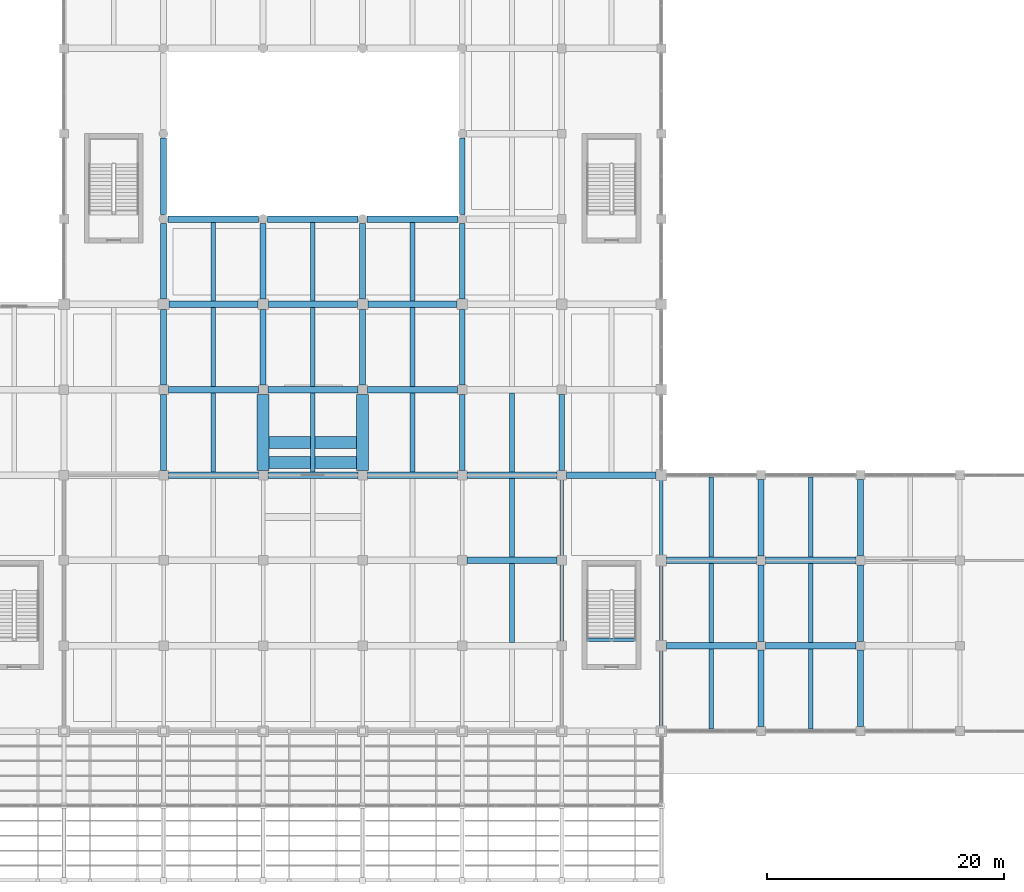
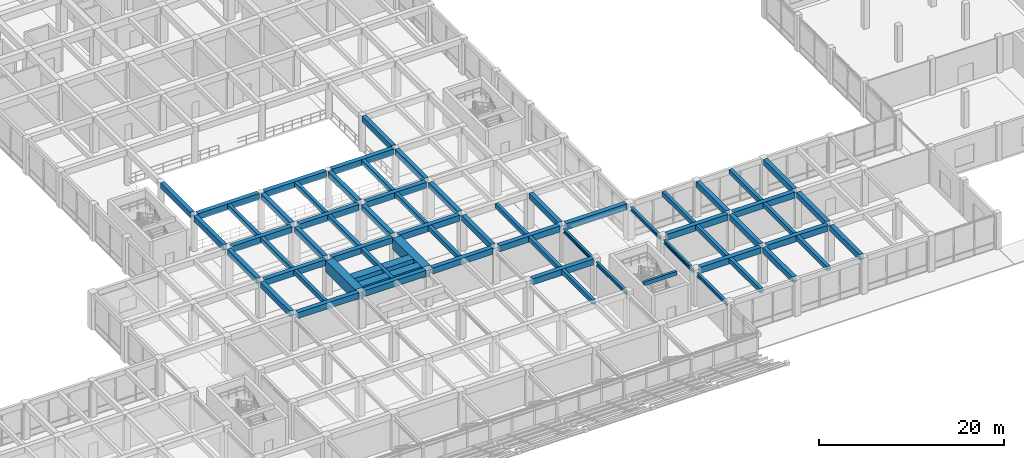
# One storey, part 15 of 52: 66 beams.
"""IFC4 building model written with IfcOpenShell, lengths in metres."""

from ifc_helpers import new_model, si_unit, direction, frame, origin, origin_2d, place, context, subcontext, project, spatial, rectangle, i_section, extrude, material, material_profile, profile_set, type_object, element, save


model = new_model("IFC4")

# Units and contexts
model_context = context("Model", 3, precision=1e-05, world=origin(), true_north=direction((0.0, 1.0)))
body_context = subcontext(model_context, "Body", "Model", "MODEL_VIEW")
ifc_project = project(units=[si_unit("LENGTHUNIT", "METRE"), si_unit("AREAUNIT", "SQUARE_METRE"), si_unit("VOLUMEUNIT", "CUBIC_METRE"), si_unit("PLANEANGLEUNIT", "RADIAN"), si_unit("MASSUNIT", "GRAM", prefix="KILO")], contexts=[model_context])

# Site, building, storey
site_placement = place(None, origin())
site = spatial("IfcSite", under=ifc_project, at=site_placement, CompositionType="ELEMENT")
building_placement = place(site_placement, origin())
building = spatial("IfcBuilding", under=site, at=building_placement, Name="Kenerak Square Central Library", CompositionType="ELEMENT")
storey_placement = place(building_placement, frame((0.0, 0.0, 4.800048828125)))
storey = spatial("IfcBuildingStorey", under=building, at=storey_placement, Name="L01", CompositionType="ELEMENT", Elevation=4.800048828125)

# Beams
ifc_material_1 = material(Name="Steel S355", Category="steel")
ifc_material_profile_1 = material_profile(ifc_material_1, i_section(OverallWidth=0.300048828125, OverallDepth=0.5, WebThickness=0.014404296875, FlangeThickness=0.028076171875, FilletRadius=0.027099609375, at=origin_2d()), Name="HEB 500")
ifc_profile_set_1 = profile_set([ifc_material_profile_1], Name="Steel S355")
beam_type_1 = type_object("IfcBeamType", Name="Backspan Steel Girder SB-03 HEB 500 S355", PredefinedType="BEAM", material=ifc_profile_set_1)
beam_1_placement = place(storey_placement, frame((108.800048828125, 24.3798828125, 4.14990234375), z_axis=(0.0, 1.0, 0.0), x_axis=(-1.0, 0.0, 0.0)))
element("IfcBeam", 1, at=beam_1_placement, inside=storey, type_object=beam_type_1, Name="Overhang Backspan Tie Girder 7 L01 098", PredefinedType="BEAM", context=body_context, shape_type="SweptSolid", body=[
    extrude(i_section(OverallWidth=0.300048828125, OverallDepth=0.5, WebThickness=0.014404296875, FlangeThickness=0.028076171875, FilletRadius=0.027099609375, at=origin_2d()), origin(), (0.0, 0.0, 1.0), 6.440185546875),
])
beam_2_placement = place(storey_placement, frame((108.800048828125, 31.580078125, 4.14990234375), z_axis=(0.0, 1.0, 0.0), x_axis=(-1.0, 0.0, 0.0)))
element("IfcBeam", 2, at=beam_2_placement, inside=storey, type_object=beam_type_1, Name="Overhang Backspan Tie Girder 7 L01 099", PredefinedType="BEAM", context=body_context, shape_type="SweptSolid", body=[
    extrude(i_section(OverallWidth=0.300048828125, OverallDepth=0.5, WebThickness=0.014404296875, FlangeThickness=0.028076171875, FilletRadius=0.027099609375, at=origin_2d()), origin(), (0.0, 0.0, 1.0), 6.43994140625),
])
for number, where, z_axis, x_axis, name in (
    (3, (117.199951171875, 17.179931640625, 4.14990234375), (0.0, 1.0, 0.0), (-1.0, 0.0, 0.0), "Overhang Backspan Tie Girder 8 L01 113"),
    (4, (117.199951171875, 24.3798828125, 4.14990234375), (0.0, 1.0, 0.0), (-1.0, 0.0, 0.0), "Overhang Backspan Tie Girder 8 L01 114"),
):
    element("IfcBeam", number, at=place(storey_placement, frame(where, z_axis=z_axis, x_axis=x_axis)), inside=storey, type_object=beam_type_1, Name=name, PredefinedType="BEAM", context=body_context, shape_type="SweptSolid", body=[
        extrude(i_section(OverallWidth=0.300048828125, OverallDepth=0.5, WebThickness=0.014404296875, FlangeThickness=0.028076171875, FilletRadius=0.027099609375, at=origin_2d()), origin(), (0.0, 0.0, 1.0), 6.440185546875),
    ])
beam_3_placement = place(storey_placement, frame((117.199951171875, 31.580078125, 4.14990234375), z_axis=(0.0, 1.0, 0.0), x_axis=(-1.0, 0.0, 0.0)))
element("IfcBeam", 5, at=beam_3_placement, inside=storey, type_object=beam_type_1, Name="Overhang Backspan Tie Girder 8 L01 115", PredefinedType="BEAM", context=body_context, shape_type="SweptSolid", body=[
    extrude(i_section(OverallWidth=0.300048828125, OverallDepth=0.5, WebThickness=0.014404296875, FlangeThickness=0.028076171875, FilletRadius=0.027099609375, at=origin_2d()), origin(), (0.0, 0.0, 1.0), 6.43994140625),
])
ifc_material_2 = material(Name="Concrete C40/50", Category="concrete")
ifc_material_profile_2 = material_profile(ifc_material_2, rectangle(XDim=0.300048828125, YDim=0.5, at=origin_2d()), Name="RC 300x500")
ifc_profile_set_2 = profile_set([ifc_material_profile_2], Name="Concrete C40/50")
beam_type_2 = type_object("IfcBeamType", Name="Landing Support Beam B-08 RC 300x500 C40/50", PredefinedType="BEAM", material=ifc_profile_set_2)
beam_4_placement = place(storey_placement, frame((110.919921875, 24.510009765625, 4.550048828125), z_axis=(1.0, 0.0, 0.0), x_axis=(0.0, 1.0, 0.0)))
element("IfcBeam", 6, at=beam_4_placement, inside=storey, type_object=beam_type_2, Name="Stair Threshold Beam B-08 ST-05 L02", PredefinedType="BEAM", context=body_context, shape_type="SweptSolid", body=[
    extrude(rectangle(XDim=0.300048828125, YDim=0.5, at=origin_2d()), origin(), (0.0, 0.0, 1.0), 4.16015625),
])
ifc_material_profile_3 = material_profile(ifc_material_2, rectangle(XDim=0.550048828125, YDim=0.800048828125, at=origin_2d()), Name="RC 550x800")
ifc_profile_set_3 = profile_set([ifc_material_profile_3], Name="Concrete C40/50")
beam_type_3 = type_object("IfcBeamType", Name="Primary Reading Beam B-04 RC 550x800 C40/50", PredefinedType="BEAM", material=ifc_profile_set_3)
beam_5_placement = place(storey_placement, frame((117.64990234375, 24.0, 4.39990234375), z_axis=(1.0, 0.0, 0.0), x_axis=(0.0, 1.0, 0.0)))
element("IfcBeam", 7, at=beam_5_placement, inside=storey, type_object=beam_type_3, Name="Beam B-04 L01 0879", PredefinedType="BEAM", context=body_context, shape_type="SweptSolid", body=[
    extrude(rectangle(XDim=0.550048828125, YDim=0.800048828125, at=origin_2d()), origin(), (0.0, 0.0, 1.0), 7.5751953125),
])
beam_6_placement = place(storey_placement, frame((125.97509765625, 24.0, 4.39990234375), z_axis=(1.0, 0.0, 0.0), x_axis=(0.0, 1.0, 0.0)))
element("IfcBeam", 8, at=beam_6_placement, inside=storey, type_object=beam_type_3, Name="Beam B-04 L01 0880", PredefinedType="BEAM", context=body_context, shape_type="SweptSolid", body=[
    extrude(rectangle(XDim=0.550048828125, YDim=0.800048828125, at=origin_2d()), origin(), (0.0, 0.0, 1.0), 7.64990234375),
])
beam_7_placement = place(storey_placement, frame((100.800048828125, 31.199951171875, 4.39990234375), z_axis=(1.0, 0.0, 0.0), x_axis=(0.0, 1.0, 0.0)))
element("IfcBeam", 9, at=beam_7_placement, inside=storey, type_object=beam_type_3, Name="Beam B-04 L01 0892", PredefinedType="BEAM", context=body_context, shape_type="SweptSolid", body=[
    extrude(rectangle(XDim=0.550048828125, YDim=0.800048828125, at=origin_2d()), origin(), (0.0, 0.0, 1.0), 7.599853515625),
])
beam_8_placement = place(storey_placement, frame((117.64990234375, 31.199951171875, 4.39990234375), z_axis=(1.0, 0.0, 0.0), x_axis=(0.0, 1.0, 0.0)))
element("IfcBeam", 10, at=beam_8_placement, inside=storey, type_object=beam_type_3, Name="Beam B-04 L01 0893", PredefinedType="BEAM", context=body_context, shape_type="SweptSolid", body=[
    extrude(rectangle(XDim=0.550048828125, YDim=0.800048828125, at=origin_2d()), origin(), (0.0, 0.0, 1.0), 7.5751953125),
])
beam_9_placement = place(storey_placement, frame((125.97509765625, 31.199951171875, 4.39990234375), z_axis=(1.0, 0.0, 0.0), x_axis=(0.0, 1.0, 0.0)))
element("IfcBeam", 11, at=beam_9_placement, inside=storey, type_object=beam_type_3, Name="Beam B-04 L01 0894", PredefinedType="BEAM", context=body_context, shape_type="SweptSolid", body=[
    extrude(rectangle(XDim=0.550048828125, YDim=0.800048828125, at=origin_2d()), origin(), (0.0, 0.0, 1.0), 7.64990234375),
])
beam_10_placement = place(storey_placement, frame((75.60009765625, 38.39990234375, 4.39990234375), z_axis=(1.0, 0.0, 0.0), x_axis=(0.0, 1.0, 0.0)))
element("IfcBeam", 12, at=beam_10_placement, inside=storey, type_object=beam_type_3, Name="Beam B-04 L01 0901", PredefinedType="BEAM", context=body_context, shape_type="SweptSolid", body=[
    extrude(rectangle(XDim=0.550048828125, YDim=0.800048828125, at=origin_2d()), origin(), (0.0, 0.0, 1.0), 7.599853515625),
])
for number, where, z_axis, x_axis, name in (
    (13, (84.0, 38.39990234375, 4.39990234375), (1.0, 0.0, 0.0), (0.0, 1.0, 0.0), "Beam B-04 L01 0902"),
    (14, (92.39990234375, 38.39990234375, 4.39990234375), (1.0, 0.0, 0.0), (0.0, 1.0, 0.0), "Beam B-04 L01 0903"),
):
    element("IfcBeam", number, at=place(storey_placement, frame(where, z_axis=z_axis, x_axis=x_axis)), inside=storey, type_object=beam_type_3, Name=name, PredefinedType="BEAM", context=body_context, shape_type="SweptSolid", body=[
        extrude(rectangle(XDim=0.550048828125, YDim=0.800048828125, at=origin_2d()), origin(), (0.0, 0.0, 1.0), 7.60009765625),
    ])
beam_11_placement = place(storey_placement, frame((100.800048828125, 38.39990234375, 4.39990234375), z_axis=(1.0, 0.0, 0.0), x_axis=(0.0, 1.0, 0.0)))
element("IfcBeam", 15, at=beam_11_placement, inside=storey, type_object=beam_type_3, Name="Beam B-04 L01 0904", PredefinedType="BEAM", context=body_context, shape_type="SweptSolid", body=[
    extrude(rectangle(XDim=0.550048828125, YDim=0.800048828125, at=origin_2d()), origin(), (0.0, 0.0, 1.0), 7.599853515625),
])
beam_12_placement = place(storey_placement, frame((109.199951171875, 38.39990234375, 4.39990234375), z_axis=(1.0, 0.0, 0.0), x_axis=(0.0, 1.0, 0.0)))
element("IfcBeam", 16, at=beam_12_placement, inside=storey, type_object=beam_type_3, Name="Beam B-04 L01 0905", PredefinedType="BEAM", context=body_context, shape_type="SweptSolid", body=[
    extrude(rectangle(XDim=0.550048828125, YDim=0.800048828125, at=origin_2d()), origin(), (0.0, 0.0, 1.0), 7.550048828125),
])
beam_13_placement = place(storey_placement, frame((75.60009765625, 45.60009765625, 4.39990234375), z_axis=(1.0, 0.0, 0.0), x_axis=(0.0, 1.0, 0.0)))
element("IfcBeam", 17, at=beam_13_placement, inside=storey, type_object=beam_type_3, Name="Beam B-04 L01 0911", PredefinedType="BEAM", context=body_context, shape_type="SweptSolid", body=[
    extrude(rectangle(XDim=0.550048828125, YDim=0.800048828125, at=origin_2d()), origin(), (0.0, 0.0, 1.0), 7.599853515625),
])
for number, where, z_axis, x_axis, name in (
    (18, (84.0, 45.60009765625, 4.39990234375), (1.0, 0.0, 0.0), (0.0, 1.0, 0.0), "Beam B-04 L01 0912"),
    (19, (92.39990234375, 45.60009765625, 4.39990234375), (1.0, 0.0, 0.0), (0.0, 1.0, 0.0), "Beam B-04 L01 0913"),
):
    element("IfcBeam", number, at=place(storey_placement, frame(where, z_axis=z_axis, x_axis=x_axis)), inside=storey, type_object=beam_type_3, Name=name, PredefinedType="BEAM", context=body_context, shape_type="SweptSolid", body=[
        extrude(rectangle(XDim=0.550048828125, YDim=0.800048828125, at=origin_2d()), origin(), (0.0, 0.0, 1.0), 7.60009765625),
    ])
for number, where, z_axis, x_axis, name in (
    (20, (75.64990234375, 52.800048828125, 4.39990234375), (1.0, 0.0, 0.0), (0.0, 1.0, 0.0), "Beam B-04 L01 0918"),
    (21, (84.050048828125, 52.800048828125, 4.39990234375), (1.0, 0.0, 0.0), (0.0, 1.0, 0.0), "Beam B-04 L01 0919"),
    (22, (92.449951171875, 52.800048828125, 4.39990234375), (1.0, 0.0, 0.0), (0.0, 1.0, 0.0), "Beam B-04 L01 0920"),
):
    element("IfcBeam", number, at=place(storey_placement, frame(where, z_axis=z_axis, x_axis=x_axis)), inside=storey, type_object=beam_type_3, Name=name, PredefinedType="BEAM", context=body_context, shape_type="SweptSolid", body=[
        extrude(rectangle(XDim=0.550048828125, YDim=0.800048828125, at=origin_2d()), origin(), (0.0, 0.0, 1.0), 7.5),
    ])
beam_14_placement = place(storey_placement, frame((75.574951171875, 60.0, 4.39990234375), z_axis=(1.0, 0.0, 0.0), x_axis=(0.0, 1.0, 0.0)))
element("IfcBeam", 23, at=beam_14_placement, inside=storey, type_object=beam_type_3, Name="Beam B-04 L01 0923", PredefinedType="BEAM", context=body_context, shape_type="SweptSolid", body=[
    extrude(rectangle(XDim=0.550048828125, YDim=0.800048828125, at=origin_2d()), origin(), (0.0, 0.0, 1.0), 7.650146484375),
])
for number, where, z_axis, x_axis, name in (
    (24, (83.97509765625, 60.0, 4.39990234375), (1.0, 0.0, 0.0), (0.0, 1.0, 0.0), "Beam B-04 L01 0924"),
    (25, (92.375, 60.0, 4.39990234375), (1.0, 0.0, 0.0), (0.0, 1.0, 0.0), "Beam B-04 L01 0925"),
):
    element("IfcBeam", number, at=place(storey_placement, frame(where, z_axis=z_axis, x_axis=x_axis)), inside=storey, type_object=beam_type_3, Name=name, PredefinedType="BEAM", context=body_context, shape_type="SweptSolid", body=[
        extrude(rectangle(XDim=0.550048828125, YDim=0.800048828125, at=origin_2d()), origin(), (0.0, 0.0, 1.0), 7.64990234375),
    ])
ifc_material_profile_4 = material_profile(ifc_material_2, rectangle(XDim=0.39990234375, YDim=0.60009765625, at=origin_2d()), Name="RC 400x600")
ifc_profile_set_4 = profile_set([ifc_material_profile_4], Name="Concrete C40/50")
beam_type_4 = type_object("IfcBeamType", Name="Secondary Floor Joist J-01 RC 400x600 C40/50", PredefinedType="JOIST", material=ifc_profile_set_4)
for number, where, z_axis, x_axis, name in (
    (26, (79.39990234375, 38.675048828125, 4.5), (0.0, 1.0, 0.0), (-1.0, 0.0, 0.0), "Joist J-01 L01 1125"),
    (27, (79.39990234375, 45.875, 4.5), (0.0, 1.0, 0.0), (-1.0, 0.0, 0.0), "Joist J-01 L01 1126"),
):
    element("IfcBeam", number, at=place(storey_placement, frame(where, z_axis=z_axis, x_axis=x_axis)), inside=storey, type_object=beam_type_4, Name=name, PredefinedType="JOIST", context=body_context, shape_type="SweptSolid", body=[
        extrude(rectangle(XDim=0.39990234375, YDim=0.60009765625, at=origin_2d()), origin(), (0.0, 0.0, 1.0), 6.64990234375),
    ])
beam_15_placement = place(storey_placement, frame((79.39990234375, 53.074951171875, 4.5), z_axis=(0.0, 1.0, 0.0), x_axis=(-1.0, 0.0, 0.0)))
element("IfcBeam", 28, at=beam_15_placement, inside=storey, type_object=beam_type_4, Name="Joist J-01 L01 1127", PredefinedType="JOIST", context=body_context, shape_type="SweptSolid", body=[
    extrude(rectangle(XDim=0.39990234375, YDim=0.60009765625, at=origin_2d()), origin(), (0.0, 0.0, 1.0), 6.650146484375),
])
for number, where, z_axis, x_axis, name in (
    (29, (87.800048828125, 38.675048828125, 4.5), (0.0, 1.0, 0.0), (-1.0, 0.0, 0.0), "Joist J-01 L01 1136"),
    (30, (87.800048828125, 45.875, 4.5), (0.0, 1.0, 0.0), (-1.0, 0.0, 0.0), "Joist J-01 L01 1137"),
):
    element("IfcBeam", number, at=place(storey_placement, frame(where, z_axis=z_axis, x_axis=x_axis)), inside=storey, type_object=beam_type_4, Name=name, PredefinedType="JOIST", context=body_context, shape_type="SweptSolid", body=[
        extrude(rectangle(XDim=0.39990234375, YDim=0.60009765625, at=origin_2d()), origin(), (0.0, 0.0, 1.0), 6.64990234375),
    ])
beam_16_placement = place(storey_placement, frame((87.800048828125, 53.074951171875, 4.5), z_axis=(0.0, 1.0, 0.0), x_axis=(-1.0, 0.0, 0.0)))
element("IfcBeam", 31, at=beam_16_placement, inside=storey, type_object=beam_type_4, Name="Joist J-01 L01 1138", PredefinedType="JOIST", context=body_context, shape_type="SweptSolid", body=[
    extrude(rectangle(XDim=0.39990234375, YDim=0.60009765625, at=origin_2d()), origin(), (0.0, 0.0, 1.0), 6.650146484375),
])
for number, where, z_axis, x_axis, name in (
    (32, (96.199951171875, 38.675048828125, 4.5), (0.0, 1.0, 0.0), (-1.0, 0.0, 0.0), "Joist J-01 L01 1145"),
    (33, (96.199951171875, 45.875, 4.5), (0.0, 1.0, 0.0), (-1.0, 0.0, 0.0), "Joist J-01 L01 1146"),
):
    element("IfcBeam", number, at=place(storey_placement, frame(where, z_axis=z_axis, x_axis=x_axis)), inside=storey, type_object=beam_type_4, Name=name, PredefinedType="JOIST", context=body_context, shape_type="SweptSolid", body=[
        extrude(rectangle(XDim=0.39990234375, YDim=0.60009765625, at=origin_2d()), origin(), (0.0, 0.0, 1.0), 6.64990234375),
    ])
for number, where, z_axis, x_axis, name in (
    (34, (96.199951171875, 53.074951171875, 4.5), (0.0, 1.0, 0.0), (-1.0, 0.0, 0.0), "Joist J-01 L01 1147"),
    (35, (104.60009765625, 24.27490234375, 4.5), (0.0, 1.0, 0.0), (-1.0, 0.0, 0.0), "Joist J-01 L01 1155"),
):
    element("IfcBeam", number, at=place(storey_placement, frame(where, z_axis=z_axis, x_axis=x_axis)), inside=storey, type_object=beam_type_4, Name=name, PredefinedType="JOIST", context=body_context, shape_type="SweptSolid", body=[
        extrude(rectangle(XDim=0.39990234375, YDim=0.60009765625, at=origin_2d()), origin(), (0.0, 0.0, 1.0), 6.650146484375),
    ])
for number, where, z_axis, x_axis, name in (
    (36, (104.60009765625, 31.47509765625, 4.5), (0.0, 1.0, 0.0), (-1.0, 0.0, 0.0), "Joist J-01 L01 1156"),
    (37, (104.60009765625, 38.675048828125, 4.5), (0.0, 1.0, 0.0), (-1.0, 0.0, 0.0), "Joist J-01 L01 1157"),
):
    element("IfcBeam", number, at=place(storey_placement, frame(where, z_axis=z_axis, x_axis=x_axis)), inside=storey, type_object=beam_type_4, Name=name, PredefinedType="JOIST", context=body_context, shape_type="SweptSolid", body=[
        extrude(rectangle(XDim=0.39990234375, YDim=0.60009765625, at=origin_2d()), origin(), (0.0, 0.0, 1.0), 6.64990234375),
    ])
beam_17_placement = place(storey_placement, frame((121.39990234375, 16.97509765625, 4.5), z_axis=(0.0, 1.0, 0.0), x_axis=(-1.0, 0.0, 0.0)))
element("IfcBeam", 38, at=beam_17_placement, inside=storey, type_object=beam_type_4, Name="Joist J-01 L01 1173", PredefinedType="JOIST", context=body_context, shape_type="SweptSolid", body=[
    extrude(rectangle(XDim=0.39990234375, YDim=0.60009765625, at=origin_2d()), origin(), (0.0, 0.0, 1.0), 6.75),
])
beam_18_placement = place(storey_placement, frame((121.39990234375, 24.27490234375, 4.5), z_axis=(0.0, 1.0, 0.0), x_axis=(-1.0, 0.0, 0.0)))
element("IfcBeam", 39, at=beam_18_placement, inside=storey, type_object=beam_type_4, Name="Joist J-01 L01 1174", PredefinedType="JOIST", context=body_context, shape_type="SweptSolid", body=[
    extrude(rectangle(XDim=0.39990234375, YDim=0.60009765625, at=origin_2d()), origin(), (0.0, 0.0, 1.0), 6.650146484375),
])
for number, where, z_axis, x_axis, name in (
    (40, (121.39990234375, 31.47509765625, 4.5), (0.0, 1.0, 0.0), (-1.0, 0.0, 0.0), "Joist J-01 L01 1175"),
    (41, (129.800048828125, 16.97509765625, 4.5), (0.0, 1.0, 0.0), (-1.0, 0.0, 0.0), "Joist J-01 L01 1179"),
):
    element("IfcBeam", number, at=place(storey_placement, frame(where, z_axis=z_axis, x_axis=x_axis)), inside=storey, type_object=beam_type_4, Name=name, PredefinedType="JOIST", context=body_context, shape_type="SweptSolid", body=[
        extrude(rectangle(XDim=0.39990234375, YDim=0.60009765625, at=origin_2d()), origin(), (0.0, 0.0, 1.0), 6.75),
    ])
beam_19_placement = place(storey_placement, frame((129.800048828125, 24.27490234375, 4.5), z_axis=(0.0, 1.0, 0.0), x_axis=(-1.0, 0.0, 0.0)))
element("IfcBeam", 42, at=beam_19_placement, inside=storey, type_object=beam_type_4, Name="Joist J-01 L01 1180", PredefinedType="JOIST", context=body_context, shape_type="SweptSolid", body=[
    extrude(rectangle(XDim=0.39990234375, YDim=0.60009765625, at=origin_2d()), origin(), (0.0, 0.0, 1.0), 6.650146484375),
])
beam_20_placement = place(storey_placement, frame((129.800048828125, 31.47509765625, 4.5), z_axis=(0.0, 1.0, 0.0), x_axis=(-1.0, 0.0, 0.0)))
element("IfcBeam", 43, at=beam_20_placement, inside=storey, type_object=beam_type_4, Name="Joist J-01 L01 1181", PredefinedType="JOIST", context=body_context, shape_type="SweptSolid", body=[
    extrude(rectangle(XDim=0.39990234375, YDim=0.60009765625, at=origin_2d()), origin(), (0.0, 0.0, 1.0), 6.75),
])
ifc_material_3 = material(Name="Concrete C45/55", Category="concrete")
ifc_material_profile_5 = material_profile(ifc_material_3, rectangle(XDim=1.0, YDim=1.5, at=origin_2d()), Name="RC 1000x1500")
ifc_profile_set_5 = profile_set([ifc_material_profile_5], Name="Concrete C45/55")
beam_type_5 = type_object("IfcBeamType", Name="Transfer Girder TG-01 RC 1000x1500 C45/55", PredefinedType="BEAM", material=ifc_profile_set_5)
for number, where, z_axis, x_axis, name in (
    (44, (83.60009765625, 38.800048828125, 4.050048828125), (0.0, 1.0, 0.0), (-1.0, 0.0, 0.0), "Beam TG-01 L01 1032"),
    (45, (92.0, 38.800048828125, 4.050048828125), (0.0, 1.0, 0.0), (-1.0, 0.0, 0.0), "Beam TG-01 L01 1041"),
):
    element("IfcBeam", number, at=place(storey_placement, frame(where, z_axis=z_axis, x_axis=x_axis)), inside=storey, type_object=beam_type_5, Name=name, PredefinedType="BEAM", context=body_context, shape_type="SweptSolid", body=[
        extrude(rectangle(XDim=1.0, YDim=1.5, at=origin_2d()), origin(), (0.0, 0.0, 1.0), 6.39990234375),
    ])
for number, where, z_axis, x_axis, name in (
    (46, (84.10009765625, 39.449951171875, 4.050048828125), (1.0, 0.0, 0.0), (0.0, 1.0, 0.0), "Feature Stair ST-F2 Post Transfer Girder 1"),
    (47, (84.10009765625, 41.14990234375, 4.050048828125), (1.0, 0.0, 0.0), (0.0, 1.0, 0.0), "Feature Stair ST-F2 Post Transfer Girder 2"),
):
    element("IfcBeam", number, at=place(storey_placement, frame(where, z_axis=z_axis, x_axis=x_axis)), inside=storey, type_object=beam_type_5, Name=name, PredefinedType="BEAM", context=body_context, shape_type="SweptSolid", body=[
        extrude(rectangle(XDim=1.0, YDim=1.5, at=origin_2d()), origin(), (0.0, 0.0, 1.0), 7.39990234375),
    ])
ifc_material_profile_6 = material_profile(ifc_material_2, rectangle(XDim=0.5, YDim=0.75, at=origin_2d()), Name="RC 500x750")
ifc_profile_set_6 = profile_set([ifc_material_profile_6], Name="Concrete C40/50")
beam_type_6 = type_object("IfcBeamType", Name="Transverse Frame Beam B-05 RC 500x750 C40/50", PredefinedType="BEAM", material=ifc_profile_set_6)
beam_21_placement = place(storey_placement, frame((75.199951171875, 38.800048828125, 4.425048828125), z_axis=(0.0, 1.0, 0.0), x_axis=(-1.0, 0.0, 0.0)))
element("IfcBeam", 48, at=beam_21_placement, inside=storey, type_object=beam_type_6, Name="Beam B-05 L01 1021", PredefinedType="BEAM", context=body_context, shape_type="SweptSolid", body=[
    extrude(rectangle(XDim=0.5, YDim=0.75, at=origin_2d()), origin(), (0.0, 0.0, 1.0), 6.39990234375),
])
beam_22_placement = place(storey_placement, frame((75.199951171875, 46.0, 4.425048828125), z_axis=(0.0, 1.0, 0.0), x_axis=(-1.0, 0.0, 0.0)))
element("IfcBeam", 49, at=beam_22_placement, inside=storey, type_object=beam_type_6, Name="Beam B-05 L01 1022", PredefinedType="BEAM", context=body_context, shape_type="SweptSolid", body=[
    extrude(rectangle(XDim=0.5, YDim=0.75, at=origin_2d()), origin(), (0.0, 0.0, 1.0), 6.35009765625),
])
beam_23_placement = place(storey_placement, frame((75.199951171875, 53.25, 4.425048828125), z_axis=(0.0, 1.0, 0.0), x_axis=(-1.0, 0.0, 0.0)))
element("IfcBeam", 50, at=beam_23_placement, inside=storey, type_object=beam_type_6, Name="Beam B-05 L01 1023", PredefinedType="BEAM", context=body_context, shape_type="SweptSolid", body=[
    extrude(rectangle(XDim=0.5, YDim=0.75, at=origin_2d()), origin(), (0.0, 0.0, 1.0), 6.375),
])
beam_24_placement = place(storey_placement, frame((75.199951171875, 60.375, 4.425048828125), z_axis=(0.0, 1.0, 0.0), x_axis=(-1.0, 0.0, 0.0)))
element("IfcBeam", 51, at=beam_24_placement, inside=storey, type_object=beam_type_6, Name="Beam B-05 L01 1024", PredefinedType="BEAM", context=body_context, shape_type="SweptSolid", body=[
    extrude(rectangle(XDim=0.5, YDim=0.75, at=origin_2d()), origin(), (0.0, 0.0, 1.0), 6.449951171875),
])
beam_25_placement = place(storey_placement, frame((83.60009765625, 46.0, 4.425048828125), z_axis=(0.0, 1.0, 0.0), x_axis=(-1.0, 0.0, 0.0)))
element("IfcBeam", 52, at=beam_25_placement, inside=storey, type_object=beam_type_6, Name="Beam B-05 L01 1033", PredefinedType="BEAM", context=body_context, shape_type="SweptSolid", body=[
    extrude(rectangle(XDim=0.5, YDim=0.75, at=origin_2d()), origin(), (0.0, 0.0, 1.0), 6.35009765625),
])
beam_26_placement = place(storey_placement, frame((83.60009765625, 53.25, 4.425048828125), z_axis=(0.0, 1.0, 0.0), x_axis=(-1.0, 0.0, 0.0)))
element("IfcBeam", 53, at=beam_26_placement, inside=storey, type_object=beam_type_6, Name="Beam B-05 L01 1034", PredefinedType="BEAM", context=body_context, shape_type="SweptSolid", body=[
    extrude(rectangle(XDim=0.5, YDim=0.75, at=origin_2d()), origin(), (0.0, 0.0, 1.0), 6.375),
])
beam_27_placement = place(storey_placement, frame((92.0, 46.0, 4.425048828125), z_axis=(0.0, 1.0, 0.0), x_axis=(-1.0, 0.0, 0.0)))
element("IfcBeam", 54, at=beam_27_placement, inside=storey, type_object=beam_type_6, Name="Beam B-05 L01 1042", PredefinedType="BEAM", context=body_context, shape_type="SweptSolid", body=[
    extrude(rectangle(XDim=0.5, YDim=0.75, at=origin_2d()), origin(), (0.0, 0.0, 1.0), 6.35009765625),
])
beam_28_placement = place(storey_placement, frame((92.0, 53.25, 4.425048828125), z_axis=(0.0, 1.0, 0.0), x_axis=(-1.0, 0.0, 0.0)))
element("IfcBeam", 55, at=beam_28_placement, inside=storey, type_object=beam_type_6, Name="Beam B-05 L01 1043", PredefinedType="BEAM", context=body_context, shape_type="SweptSolid", body=[
    extrude(rectangle(XDim=0.5, YDim=0.75, at=origin_2d()), origin(), (0.0, 0.0, 1.0), 6.375),
])
beam_29_placement = place(storey_placement, frame((100.39990234375, 38.800048828125, 4.425048828125), z_axis=(0.0, 1.0, 0.0), x_axis=(-1.0, 0.0, 0.0)))
element("IfcBeam", 56, at=beam_29_placement, inside=storey, type_object=beam_type_6, Name="Beam B-05 L01 1050", PredefinedType="BEAM", context=body_context, shape_type="SweptSolid", body=[
    extrude(rectangle(XDim=0.5, YDim=0.75, at=origin_2d()), origin(), (0.0, 0.0, 1.0), 6.39990234375),
])
beam_30_placement = place(storey_placement, frame((100.39990234375, 46.0, 4.425048828125), z_axis=(0.0, 1.0, 0.0), x_axis=(-1.0, 0.0, 0.0)))
element("IfcBeam", 57, at=beam_30_placement, inside=storey, type_object=beam_type_6, Name="Beam B-05 L01 1051", PredefinedType="BEAM", context=body_context, shape_type="SweptSolid", body=[
    extrude(rectangle(XDim=0.5, YDim=0.75, at=origin_2d()), origin(), (0.0, 0.0, 1.0), 6.35009765625),
])
beam_31_placement = place(storey_placement, frame((100.39990234375, 53.25, 4.425048828125), z_axis=(0.0, 1.0, 0.0), x_axis=(-1.0, 0.0, 0.0)))
element("IfcBeam", 58, at=beam_31_placement, inside=storey, type_object=beam_type_6, Name="Beam B-05 L01 1052", PredefinedType="BEAM", context=body_context, shape_type="SweptSolid", body=[
    extrude(rectangle(XDim=0.5, YDim=0.75, at=origin_2d()), origin(), (0.0, 0.0, 1.0), 6.375),
])
beam_32_placement = place(storey_placement, frame((100.39990234375, 60.375, 4.425048828125), z_axis=(0.0, 1.0, 0.0), x_axis=(-1.0, 0.0, 0.0)))
element("IfcBeam", 59, at=beam_32_placement, inside=storey, type_object=beam_type_6, Name="Beam B-05 L01 1053", PredefinedType="BEAM", context=body_context, shape_type="SweptSolid", body=[
    extrude(rectangle(XDim=0.5, YDim=0.75, at=origin_2d()), origin(), (0.0, 0.0, 1.0), 6.449951171875),
])
beam_33_placement = place(storey_placement, frame((108.800048828125, 38.800048828125, 4.425048828125), z_axis=(0.0, 1.0, 0.0), x_axis=(-1.0, 0.0, 0.0)))
element("IfcBeam", 60, at=beam_33_placement, inside=storey, type_object=beam_type_6, Name="Beam B-05 L01 1061", PredefinedType="BEAM", context=body_context, shape_type="SweptSolid", body=[
    extrude(rectangle(XDim=0.5, YDim=0.75, at=origin_2d()), origin(), (0.0, 0.0, 1.0), 6.39990234375),
])
for number, where, z_axis, x_axis, name in (
    (61, (125.60009765625, 17.175048828125, 4.425048828125), (0.0, 1.0, 0.0), (-1.0, 0.0, 0.0), "Beam B-05 L01 1082"),
    (62, (125.60009765625, 24.375, 4.425048828125), (0.0, 1.0, 0.0), (-1.0, 0.0, 0.0), "Beam B-05 L01 1083"),
    (63, (125.60009765625, 31.574951171875, 4.425048828125), (0.0, 1.0, 0.0), (-1.0, 0.0, 0.0), "Beam B-05 L01 1084"),
    (64, (134.0, 17.175048828125, 4.425048828125), (0.0, 1.0, 0.0), (-1.0, 0.0, 0.0), "Beam B-05 L01 1088"),
    (65, (134.0, 24.375, 4.425048828125), (0.0, 1.0, 0.0), (-1.0, 0.0, 0.0), "Beam B-05 L01 1089"),
    (66, (134.0, 31.574951171875, 4.425048828125), (0.0, 1.0, 0.0), (-1.0, 0.0, 0.0), "Beam B-05 L01 1090"),
):
    element("IfcBeam", number, at=place(storey_placement, frame(where, z_axis=z_axis, x_axis=x_axis)), inside=storey, type_object=beam_type_6, Name=name, PredefinedType="BEAM", context=body_context, shape_type="SweptSolid", body=[
        extrude(rectangle(XDim=0.5, YDim=0.75, at=origin_2d()), origin(), (0.0, 0.0, 1.0), 6.449951171875),
    ])

save(model, "model.ifc")
